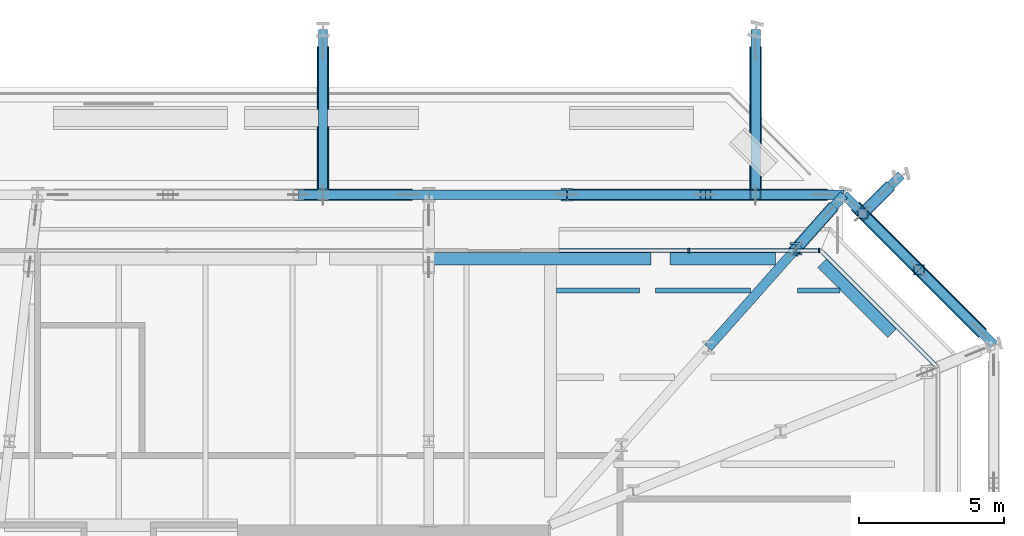
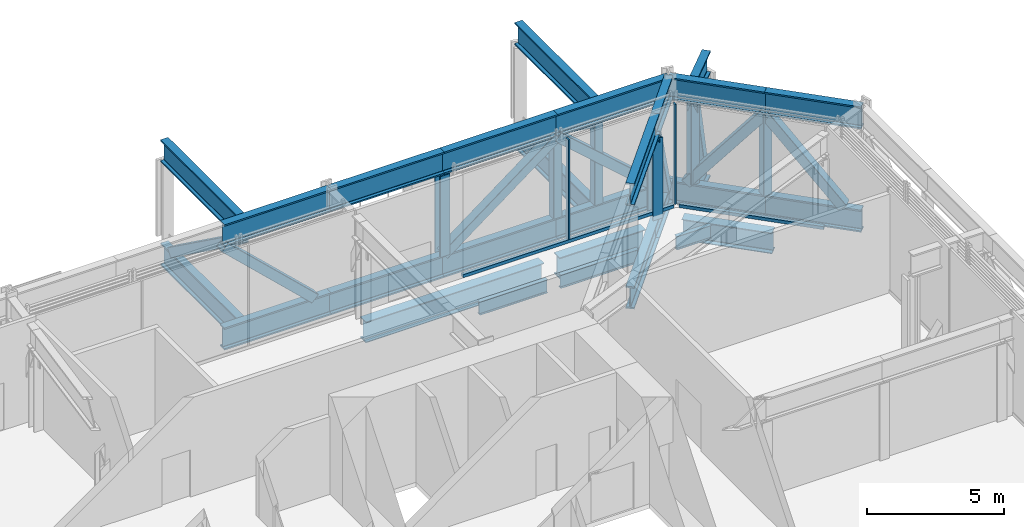
# One storey, part 15 of 29: 28 beams, 19 members, 2 elements without a shape of their own.
"""IFC4 building model written with IfcOpenShell, lengths in metres."""

from ifc_helpers import new_model, si_unit, direction, frame, origin, origin_2d, place, context, subcontext, project, spatial, rectangle, hollow_rectangle, i_section, extrude, material, layer, layer_set, material_profile, profile_set, type_object, element, aggregate, save


model = new_model("IFC4")

# Units and contexts
model_context = context("Model", 3, precision=1e-05, world=origin(), true_north=direction((0.0, 1.0)))
body_context = subcontext(model_context, "Body", "Model", "MODEL_VIEW")
ifc_project = project(units=[si_unit("LENGTHUNIT", "METRE"), si_unit("AREAUNIT", "SQUARE_METRE"), si_unit("VOLUMEUNIT", "CUBIC_METRE"), si_unit("PLANEANGLEUNIT", "RADIAN"), si_unit("MASSUNIT", "GRAM", prefix="KILO")], contexts=[model_context])

# Site, building, storey
site_placement = place(None, origin())
site = spatial("IfcSite", under=ifc_project, at=site_placement, CompositionType="ELEMENT")
building_placement = place(site_placement, origin())
building = spatial("IfcBuilding", under=site, at=building_placement, Name="Millrace Tower", CompositionType="ELEMENT")
storey_placement = place(building_placement, frame((0.0, 0.0, 68.60009765625)))
storey = spatial("IfcBuildingStorey", under=building, at=storey_placement, Name="L15", CompositionType="ELEMENT", Elevation=68.60009765625)

# Curtain wall, members
ifc_material_1 = material(Name="Aluminium and glass", Category="aluminium")
ifc_layer = layer(ifc_material_1, 0.14990234375)
ifc_layer_set = layer_set([ifc_layer], Name="Aluminium and glass")
curtain_wall_type = type_object("IfcCurtainWallType", Name="CW-5 truss and plant storey louvred infill", PredefinedType="NOTDEFINED", material=ifc_layer_set)
placement = place(storey_placement, origin())
curtain_wall_1 = element("IfcCurtainWall", 1, at=placement, inside=storey, type_object=curtain_wall_type, Name="Curtain wall B-F06 L15", PredefinedType="NOTDEFINED")
ifc_material_2 = material(Name="Aluminium", Category="aluminium")
ifc_material_profile_1 = material_profile(ifc_material_2, rectangle(XDim=0.06494140625, YDim=0.14990234375, at=origin_2d()))
ifc_profile_set_1 = profile_set([ifc_material_profile_1], Name="Aluminium")
member_type_1 = type_object("IfcMemberType", Name="CW-5 truss and plant storey louvred infill mullion", PredefinedType="MULLION", material=ifc_profile_set_1)
member_1_placement = place(storey_placement, frame((24.16748046875, 19.375, 0.139892578125), z_axis=(0.0, 0.0, 1.0), x_axis=(-1.0, 0.0, 0.0)))
member_1 = element("IfcMember", 2, at=member_1_placement, type_object=member_type_1, Name="CW5 mullion B-F06.1", PredefinedType="MULLION", context=body_context, shape_type="SweptSolid", body=[
    extrude(rectangle(XDim=0.06494140625, YDim=0.14990234375, at=origin_2d()), origin(), (0.0, 0.0, 1.0), 4.4599609375),
])
member_2_placement = place(storey_placement, frame((19.66748046875, 19.375, 0.139892578125), z_axis=(0.0, 0.0, 1.0), x_axis=(-1.0, 0.0, 0.0)))
member_2 = element("IfcMember", 3, at=member_2_placement, type_object=member_type_1, Name="CW5 mullion B-F06.2", PredefinedType="MULLION", context=body_context, shape_type="SweptSolid", body=[
    extrude(rectangle(XDim=0.06494140625, YDim=0.14990234375, at=origin_2d()), origin(), (0.0, 0.0, 1.0), 4.4599609375),
])

# Curtain wall, member
curtain_wall_2 = element("IfcCurtainWall", 4, at=placement, inside=storey, type_object=curtain_wall_type, Name="Curtain wall B-F05 L15", PredefinedType="NOTDEFINED")
ifc_material_3 = material(Name="Aluminium", Category="aluminium")
ifc_material_profile_2 = material_profile(ifc_material_3, rectangle(XDim=0.14990234375, YDim=0.139892578125, at=origin_2d()))
ifc_profile_set_2 = profile_set([ifc_material_profile_2], Name="Aluminium")
member_type_2 = type_object("IfcMemberType", Name="CW-5 truss and plant storey louvred infill transom", PredefinedType="USERDEFINED", material=ifc_profile_set_2)
member_3_placement = place(storey_placement, frame((28.182373046875, 15.423828125, 0.06982421875), z_axis=(-0.707129151258, 0.707084410407, 0.0), x_axis=(-0.707084410407, -0.707129151258, 0.0)))
member_3 = element("IfcMember", 5, at=member_3_placement, type_object=member_type_2, Name="CW5 transom B-F05.1", ObjectType="TRANSOM", PredefinedType="USERDEFINED", context=body_context, shape_type="SweptSolid", body=[
    extrude(rectangle(XDim=0.14990234375, YDim=0.139892578125, at=origin_2d()), origin(), (0.0, 0.0, 1.0), 5.456787109375),
])
aggregate(curtain_wall_2, [member_3])

# Member
member_4_placement = place(storey_placement, frame((24.10009765625, 19.375, 0.06982421875), z_axis=(-1.0, 0.0, 0.0), x_axis=(0.0, -1.0, 0.0)))
member_4 = element("IfcMember", 6, at=member_4_placement, type_object=member_type_2, Name="CW5 transom B-F06.1", ObjectType="TRANSOM", PredefinedType="USERDEFINED", context=body_context, shape_type="SweptSolid", body=[
    extrude(rectangle(XDim=0.14990234375, YDim=0.139892578125, at=origin_2d()), origin(), (0.0, 0.0, 1.0), 8.900146484375),
])

aggregate(curtain_wall_1, [member_1, member_2, member_4])

# Beams
ifc_material_4 = material(Name="Steel ASTM A992 Grade 50", Category="steel")
ifc_material_profile_3 = material_profile(ifc_material_4, i_section(OverallWidth=0.177978515625, OverallDepth=0.599365234375, WebThickness=0.010009765625, FlangeThickness=0.012939453125, FilletRadius=0.012939453125, at=origin_2d()))
ifc_profile_set_3 = profile_set([ifc_material_profile_3], Name="Steel ASTM A992 Grade 50")
beam_type_1 = type_object("IfcBeamType", Name="Floor beam W24x55", PredefinedType="JOIST", material=ifc_profile_set_3)
beam_1_placement = place(storey_placement, frame((15.11083984375, 18.0, -0.499755859375), z_axis=(1.0, 0.0, 0.0), x_axis=(0.0, 1.0, 0.0)))
element("IfcBeam", 7, at=beam_1_placement, inside=storey, type_object=beam_type_1, Name="BM-B-L15-S1-S039-a-a", PredefinedType="JOIST", context=body_context, shape_type="SweptSolid", body=[
    extrude(i_section(OverallWidth=0.177978515625, OverallDepth=0.599365234375, WebThickness=0.010009765625, FlangeThickness=0.012939453125, FilletRadius=0.012939453125, at=origin_2d()), origin(), (0.0, 0.0, 1.0), 2.865234375),
])
beam_2_placement = place(storey_placement, frame((18.52978515625, 18.0, -0.499755859375), z_axis=(1.0, 0.0, 0.0), x_axis=(0.0, 1.0, 0.0)))
element("IfcBeam", 8, at=beam_2_placement, inside=storey, type_object=beam_type_1, Name="BM-B-L15-S1-S039-a-b", PredefinedType="JOIST", context=body_context, shape_type="SweptSolid", body=[
    extrude(i_section(OverallWidth=0.177978515625, OverallDepth=0.599365234375, WebThickness=0.010009765625, FlangeThickness=0.012939453125, FilletRadius=0.012939453125, at=origin_2d()), origin(), (0.0, 0.0, 1.0), 3.267822265625),
])
beam_3_placement = place(storey_placement, frame((23.417724609375, 18.0, -0.499755859375), z_axis=(1.0, 0.0, 0.0), x_axis=(0.0, 1.0, 0.0)))
element("IfcBeam", 9, at=beam_3_placement, inside=storey, type_object=beam_type_1, Name="BM-B-L15-S1-S039-b", PredefinedType="JOIST", context=body_context, shape_type="SweptSolid", body=[
    extrude(i_section(OverallWidth=0.177978515625, OverallDepth=0.599365234375, WebThickness=0.010009765625, FlangeThickness=0.012939453125, FilletRadius=0.012939453125, at=origin_2d()), origin(), (0.0, 0.0, 1.0), 1.465576171875),
])
ifc_material_5 = material(Name="Steel ASTM A992 Grade 50", Category="steel")
ifc_material_profile_4 = material_profile(ifc_material_5, i_section(OverallWidth=0.419189453125, OverallDepth=0.927001953125, WebThickness=0.019287109375, FlangeThickness=0.031982421875, FilletRadius=0.024169921875, at=origin_2d()))
ifc_profile_set_4 = profile_set([ifc_material_profile_4], Name="Steel ASTM A992 Grade 50")
beam_type_2 = type_object("IfcBeamType", Name="Ring beam short span W36x231", PredefinedType="SPANDREL", material=ifc_profile_set_4)
beam_4_placement = place(storey_placement, frame((24.264404296875, 18.939208984375, -0.66357421875), z_axis=(0.707106781187, -0.707106781187, 0.0), x_axis=(0.707106781187, 0.707106781187, 0.0)))
element("IfcBeam", 10, at=beam_4_placement, inside=storey, type_object=beam_type_2, Name="RNG-B-L15-S1-08", PredefinedType="SPANDREL", context=body_context, shape_type="SweptSolid", body=[
    extrude(i_section(OverallWidth=0.419189453125, OverallDepth=0.927001953125, WebThickness=0.019287109375, FlangeThickness=0.031982421875, FilletRadius=0.024169921875, at=origin_2d()), origin(), (0.0, 0.0, 1.0), 3.41943359375),
])
beam_5_placement = place(storey_placement, frame((10.861328125, 19.09033203125, -0.66357421875), z_axis=(1.0, 0.0, 0.0), x_axis=(0.0, 1.0, 0.0)))
element("IfcBeam", 11, at=beam_5_placement, inside=storey, type_object=beam_type_2, Name="RNG-B-L15-S1-07-a", PredefinedType="SPANDREL", context=body_context, shape_type="SweptSolid", body=[
    extrude(i_section(OverallWidth=0.419189453125, OverallDepth=0.927001953125, WebThickness=0.019287109375, FlangeThickness=0.031982421875, FilletRadius=0.024169921875, at=origin_2d()), origin(), (0.0, 0.0, 1.0), 7.515869140625),
])
beam_6_placement = place(storey_placement, frame((19.031494140625, 19.09033203125, -0.66357421875), z_axis=(1.0, 0.0, 0.0), x_axis=(0.0, 1.0, 0.0)))
element("IfcBeam", 12, at=beam_6_placement, inside=storey, type_object=beam_type_2, Name="RNG-B-L15-S1-07-b", PredefinedType="SPANDREL", context=body_context, shape_type="SweptSolid", body=[
    extrude(i_section(OverallWidth=0.419189453125, OverallDepth=0.927001953125, WebThickness=0.019287109375, FlangeThickness=0.031982421875, FilletRadius=0.024169921875, at=origin_2d()), origin(), (0.0, 0.0, 1.0), 3.6298828125),
])

# Members
ifc_material_6 = material(Name="Steel ASTM A992 Grade 50", Category="steel")
ifc_material_profile_5 = material_profile(ifc_material_6, i_section(OverallWidth=0.411376953125, OverallDepth=0.434326171875, WebThickness=0.035888671875, FlangeThickness=0.057373046875, FilletRadius=0.01513671875, at=origin_2d()))
ifc_profile_set_5 = profile_set([ifc_material_profile_5], Name="Steel ASTM A992 Grade 50")
member_type_3 = type_object("IfcMemberType", Name="Transfer truss Vierendeel moment post W14x311", PredefinedType="POST", material=ifc_profile_set_5)
for number, where, z_axis, x_axis, name in (
    (13, (15.47607421875, 21.300048828125, -0.2001953125), (0.0, 0.0, 1.0), (1.0, 0.0, 0.0), "TRS-L15-R10-V02"),
    (14, (23.367919921875, 19.43115234375, -0.2001953125), (0.0, 0.0, 1.0), (1.0, 0.0, 0.0), "TRS-L15-C10-V01"),
):
    element("IfcMember", number, at=place(storey_placement, frame(where, z_axis=z_axis, x_axis=x_axis)), inside=storey, type_object=member_type_3, Name=name, PredefinedType="POST", context=body_context, shape_type="SweptSolid", body=[
        extrude(i_section(OverallWidth=0.411376953125, OverallDepth=0.434326171875, WebThickness=0.035888671875, FlangeThickness=0.057373046875, FilletRadius=0.01513671875, at=origin_2d()), origin(), (0.0, 0.0, 1.0), 3.60693359375),
    ])

# Beams
ifc_material_7 = material(Name="Steel ASTM A992 Grade 50", Category="steel")
ifc_material_profile_6 = material_profile(ifc_material_7, i_section(OverallWidth=0.322509765625, OverallDepth=0.9931640625, WebThickness=0.0361328125, FlangeThickness=0.06494140625, FilletRadius=0.01904296875, at=origin_2d()))
ifc_profile_set_6 = profile_set([ifc_material_profile_6], Name="Steel ASTM A992 Grade 50")
beam_type_3 = type_object("IfcBeamType", Name="Transfer truss chord W36x387", PredefinedType="BEAM", material=ifc_profile_set_6)
for number, where, z_axis, x_axis, name in (
    (15, (30.199951171875, 16.12841796875, -0.69677734375), (-0.707106781187, 0.707106781187, 0.0), (-0.707106781187, -0.707106781187, 0.0), "TRS-L15-R09-B01"),
    (16, (30.199951171875, 16.12841796875, 3.9033203125), (-0.707106781187, 0.707106781187, 0.0), (-0.707106781187, -0.707106781187, 0.0), "TRS-L15-R09-T01"),
):
    element("IfcBeam", number, at=place(storey_placement, frame(where, z_axis=z_axis, x_axis=x_axis)), inside=storey, type_object=beam_type_3, Name=name, PredefinedType="BEAM", context=body_context, shape_type="SweptSolid", body=[
        extrude(i_section(OverallWidth=0.322509765625, OverallDepth=0.9931640625, WebThickness=0.0361328125, FlangeThickness=0.06494140625, FilletRadius=0.01904296875, at=origin_2d()), origin(), (0.0, 0.0, 1.0), 3.65673828125),
    ])
for number, where, z_axis, x_axis, name in (
    (17, (27.6142578125, 18.714111328125, -0.69677734375), (-0.707106781187, 0.707106781187, 0.0), (-0.707106781187, -0.707106781187, 0.0), "TRS-L15-R09-B02"),
    (18, (27.6142578125, 18.714111328125, 3.9033203125), (-0.707106781187, 0.707106781187, 0.0), (-0.707106781187, -0.707106781187, 0.0), "TRS-L15-R09-T02"),
):
    element("IfcBeam", number, at=place(storey_placement, frame(where, z_axis=z_axis, x_axis=x_axis)), inside=storey, type_object=beam_type_3, Name=name, PredefinedType="BEAM", context=body_context, shape_type="SweptSolid", body=[
        extrude(i_section(OverallWidth=0.322509765625, OverallDepth=0.9931640625, WebThickness=0.0361328125, FlangeThickness=0.06494140625, FilletRadius=0.01904296875, at=origin_2d()), origin(), (0.0, 0.0, 1.0), 3.656982421875),
    ])
for number, where, z_axis, x_axis, name in (
    (19, (25.0283203125, 21.300048828125, -0.69677734375), (-1.0, 0.0, 0.0), (0.0, -1.0, 0.0), "TRS-L15-R10-B01"),
    (20, (25.0283203125, 21.300048828125, 3.9033203125), (-1.0, 0.0, 0.0), (0.0, -1.0, 0.0), "TRS-L15-R10-T01"),
    (21, (20.252197265625, 21.300048828125, -0.69677734375), (-1.0, 0.0, 0.0), (0.0, -1.0, 0.0), "TRS-L15-R10-B02"),
    (22, (20.252197265625, 21.300048828125, 3.9033203125), (-1.0, 0.0, 0.0), (0.0, -1.0, 0.0), "TRS-L15-R10-T02"),
    (23, (15.47607421875, 21.300048828125, -0.69677734375), (-1.0, 0.0, 0.0), (0.0, -1.0, 0.0), "TRS-L15-R10-B03"),
    (24, (15.47607421875, 21.300048828125, 3.9033203125), (-1.0, 0.0, 0.0), (0.0, -1.0, 0.0), "TRS-L15-R10-T03"),
):
    element("IfcBeam", number, at=place(storey_placement, frame(where, z_axis=z_axis, x_axis=x_axis)), inside=storey, type_object=beam_type_3, Name=name, PredefinedType="BEAM", context=body_context, shape_type="SweptSolid", body=[
        extrude(i_section(OverallWidth=0.322509765625, OverallDepth=0.9931640625, WebThickness=0.0361328125, FlangeThickness=0.06494140625, FilletRadius=0.01904296875, at=origin_2d()), origin(), (0.0, 0.0, 1.0), 4.776123046875),
    ])
for number, where, z_axis, x_axis, name in (
    (25, (10.699951171875, 21.300048828125, -0.69677734375), (-1.0, 0.0, 0.0), (0.0, -1.0, 0.0), "TRS-L15-R11-B01"),
    (26, (10.699951171875, 21.300048828125, 3.9033203125), (-1.0, 0.0, 0.0), (0.0, -1.0, 0.0), "TRS-L15-R11-T01"),
):
    element("IfcBeam", number, at=place(storey_placement, frame(where, z_axis=z_axis, x_axis=x_axis)), inside=storey, type_object=beam_type_3, Name=name, PredefinedType="BEAM", context=body_context, shape_type="SweptSolid", body=[
        extrude(i_section(OverallWidth=0.322509765625, OverallDepth=0.9931640625, WebThickness=0.0361328125, FlangeThickness=0.06494140625, FilletRadius=0.01904296875, at=origin_2d()), origin(), (0.0, 0.0, 1.0), 4.5),
    ])
for number, where, z_axis, x_axis, name in (
    (27, (25.0283203125, 21.300048828125, -0.69677734375), (-0.664175909281, -0.747576324886, 0.0), (0.747576324886, -0.664175909281, 0.0), "TRS-L15-C10-B01"),
    (28, (25.0283203125, 21.300048828125, 3.9033203125), (-0.664175909281, -0.747576324886, 0.0), (0.747576324886, -0.664175909281, 0.0), "TRS-L15-C10-T01"),
):
    element("IfcBeam", number, at=place(storey_placement, frame(where, z_axis=z_axis, x_axis=x_axis)), inside=storey, type_object=beam_type_3, Name=name, PredefinedType="BEAM", context=body_context, shape_type="SweptSolid", body=[
        extrude(i_section(OverallWidth=0.322509765625, OverallDepth=0.9931640625, WebThickness=0.0361328125, FlangeThickness=0.06494140625, FilletRadius=0.01904296875, at=origin_2d()), origin(), (0.0, 0.0, 1.0), 2.5),
    ])
for number, where, z_axis, x_axis, name in (
    (29, (23.367919921875, 19.43115234375, -0.69677734375), (-0.664157329342, -0.747592831614, 0.0), (0.747592831614, -0.664157329342, 0.0), "TRS-L15-C10-B02"),
    (30, (23.367919921875, 19.43115234375, 3.9033203125), (-0.664157329342, -0.747592831614, 0.0), (0.747592831614, -0.664157329342, 0.0), "TRS-L15-C10-T02"),
):
    element("IfcBeam", number, at=place(storey_placement, frame(where, z_axis=z_axis, x_axis=x_axis)), inside=storey, type_object=beam_type_3, Name=name, PredefinedType="BEAM", context=body_context, shape_type="SweptSolid", body=[
        extrude(i_section(OverallWidth=0.322509765625, OverallDepth=0.9931640625, WebThickness=0.0361328125, FlangeThickness=0.06494140625, FilletRadius=0.01904296875, at=origin_2d()), origin(), (0.0, 0.0, 1.0), 4.550048828125),
    ])
for number, where, z_axis, x_axis, name in (
    (31, (27.0, 21.978515625, -0.69677734375), (-0.707106781187, -0.707106781187, 0.0), (0.707106781187, -0.707106781187, 0.0), "TRS-L15-B-A-X09-B01"),
    (32, (27.0, 21.978515625, 3.9033203125), (-0.707106781187, -0.707106781187, 0.0), (0.707106781187, -0.707106781187, 0.0), "TRS-L15-B-A-X09-T01"),
):
    element("IfcBeam", number, at=place(storey_placement, frame(where, z_axis=z_axis, x_axis=x_axis)), inside=storey, type_object=beam_type_3, Name=name, PredefinedType="BEAM", context=body_context, shape_type="SweptSolid", body=[
        extrude(i_section(OverallWidth=0.322509765625, OverallDepth=0.9931640625, WebThickness=0.0361328125, FlangeThickness=0.06494140625, FilletRadius=0.01904296875, at=origin_2d()), origin(), (0.0, 0.0, 1.0), 1.71240234375),
    ])
for number, where, z_axis, x_axis, name in (
    (33, (21.978515625, 27.0, -0.69677734375), (0.0, -1.0, 0.0), (1.0, 0.0, 0.0), "TRS-L15-B-A-X10-B01"),
    (34, (21.978515625, 27.0, 3.9033203125), (0.0, -1.0, 0.0), (1.0, 0.0, 0.0), "TRS-L15-B-A-X10-T01"),
    (35, (7.050048828125, 27.0, -0.69677734375), (0.0, -1.0, 0.0), (1.0, 0.0, 0.0), "TRS-L15-B-A-X11-B01"),
    (36, (7.050048828125, 27.0, 3.9033203125), (0.0, -1.0, 0.0), (1.0, 0.0, 0.0), "TRS-L15-B-A-X11-T01"),
):
    element("IfcBeam", number, at=place(storey_placement, frame(where, z_axis=z_axis, x_axis=x_axis)), inside=storey, type_object=beam_type_3, Name=name, PredefinedType="BEAM", context=body_context, shape_type="SweptSolid", body=[
        extrude(i_section(OverallWidth=0.322509765625, OverallDepth=0.9931640625, WebThickness=0.0361328125, FlangeThickness=0.06494140625, FilletRadius=0.01904296875, at=origin_2d()), origin(), (0.0, 0.0, 1.0), 5.538818359375),
    ])

# Members
ifc_material_8 = material(Name="Steel ASTM A500 Grade C", Category="steel")
ifc_material_profile_7 = material_profile(ifc_material_8, hollow_rectangle(XDim=0.406494140625, YDim=0.406494140625, WallThickness=0.015869140625, InnerFilletRadius=0.008056640625, OuterFilletRadius=0.02392578125, at=origin_2d()))
ifc_profile_set_7 = profile_set([ifc_material_profile_7], Name="Steel ASTM A500 Grade C")
member_type_4 = type_object("IfcMemberType", Name="Transfer truss diagonal HSS16x16x5/8", PredefinedType="BRACE", material=ifc_profile_set_7)
for number, where, z_axis, x_axis, name in (
    (37, (29.705078125, 16.623291015625, -0.2001953125), (-0.448287717745, 0.448287717745, 0.773353893271), (-0.707106781187, -0.707106781187, 0.0), "TRS-L15-R09-D01"),
    (38, (25.5234375, 20.804931640625, -0.2001953125), (0.448287717745, -0.448287717745, 0.773353893271), (0.707106781187, 0.707106781187, 0.0), "TRS-L15-R09-D02"),
):
    element("IfcMember", number, at=place(storey_placement, frame(where, z_axis=z_axis, x_axis=x_axis)), inside=storey, type_object=member_type_4, Name=name, PredefinedType="BRACE", context=body_context, shape_type="SweptSolid", body=[
        extrude(hollow_rectangle(XDim=0.406494140625, YDim=0.406494140625, WallThickness=0.015869140625, InnerFilletRadius=0.008056640625, OuterFilletRadius=0.02392578125, at=origin_2d()), origin(), (0.0, 0.0, 1.0), 4.6640625),
    ])
member_5_placement = place(storey_placement, frame((24.328369140625, 21.300048828125, -0.2001953125), z_axis=(-0.748897240511, 0.0, 0.662686142268), x_axis=(0.0, -1.0, 0.0)))
element("IfcMember", 39, at=member_5_placement, inside=storey, type_object=member_type_4, Name="TRS-L15-R10-D01", PredefinedType="BRACE", context=body_context, shape_type="SweptSolid", body=[
    extrude(hollow_rectangle(XDim=0.406494140625, YDim=0.406494140625, WallThickness=0.015869140625, InnerFilletRadius=0.008056640625, OuterFilletRadius=0.02392578125, at=origin_2d()), origin(), (0.0, 0.0, 1.0), 5.44287109375),
])
member_6_placement = place(storey_placement, frame((15.47607421875, 21.300048828125, -0.2001953125), z_axis=(0.798003334985, 0.0, 0.60265303231), x_axis=(0.0, 1.0, 0.0)))
element("IfcMember", 40, at=member_6_placement, inside=storey, type_object=member_type_4, Name="TRS-L15-R10-D02", PredefinedType="BRACE", context=body_context, shape_type="SweptSolid", body=[
    extrude(hollow_rectangle(XDim=0.406494140625, YDim=0.406494140625, WallThickness=0.015869140625, InnerFilletRadius=0.008056640625, OuterFilletRadius=0.02392578125, at=origin_2d()), origin(), (0.0, 0.0, 1.0), 5.985107421875),
])
member_7_placement = place(storey_placement, frame((10.0, 21.300048828125, -0.2001953125), z_axis=(-0.72529603748, 0.0, 0.688437112607), x_axis=(0.0, -1.0, 0.0)))
element("IfcMember", 41, at=member_7_placement, inside=storey, type_object=member_type_4, Name="TRS-L15-R11-D01", PredefinedType="BRACE", context=body_context, shape_type="SweptSolid", body=[
    extrude(hollow_rectangle(XDim=0.406494140625, YDim=0.406494140625, WallThickness=0.015869140625, InnerFilletRadius=0.008056640625, OuterFilletRadius=0.02392578125, at=origin_2d()), origin(), (0.0, 0.0, 1.0), 5.2392578125),
])
member_8_placement = place(storey_placement, frame((24.5634765625, 20.776611328125, -0.2001953125), z_axis=(-0.29658488375, -0.333771552858, 0.894781513686), x_axis=(0.747521563238, -0.66423754222, 0.0)))
element("IfcMember", 42, at=member_8_placement, inside=storey, type_object=member_type_4, Name="TRS-L15-C10-D01", PredefinedType="BRACE", context=body_context, shape_type="SweptSolid", body=[
    extrude(hollow_rectangle(XDim=0.406494140625, YDim=0.406494140625, WallThickness=0.015869140625, InnerFilletRadius=0.008056640625, OuterFilletRadius=0.02392578125, at=origin_2d()), origin(), (0.0, 0.0, 1.0), 4.031005859375),
])
member_9_placement = place(storey_placement, frame((26.505126953125, 21.4833984375, -0.2001953125), z_axis=(-0.21883577014, -0.21883577014, 0.95090578472), x_axis=(0.707106781187, -0.707106781187, 0.0)))
element("IfcMember", 43, at=member_9_placement, inside=storey, type_object=member_type_4, Name="TRS-L15-B-A-X09-D01", PredefinedType="BRACE", context=body_context, shape_type="SweptSolid", body=[
    extrude(hollow_rectangle(XDim=0.406494140625, YDim=0.406494140625, WallThickness=0.015869140625, InnerFilletRadius=0.008056640625, OuterFilletRadius=0.02392578125, at=origin_2d()), origin(), (0.0, 0.0, 1.0), 3.793212890625),
])
for number, where, z_axis, x_axis, name in (
    (44, (21.978515625, 26.300048828125, -0.2001953125), (0.0, -0.811000722678, 0.585045150237), (1.0, 0.0, 0.0), "TRS-L15-B-A-X10-D01"),
    (45, (7.050048828125, 26.300048828125, -0.2001953125), (0.0, -0.811000722678, 0.585045150237), (1.0, 0.0, 0.0), "TRS-L15-B-A-X11-D01"),
):
    element("IfcMember", number, at=place(storey_placement, frame(where, z_axis=z_axis, x_axis=x_axis)), inside=storey, type_object=member_type_4, Name=name, PredefinedType="BRACE", context=body_context, shape_type="SweptSolid", body=[
        extrude(hollow_rectangle(XDim=0.406494140625, YDim=0.406494140625, WallThickness=0.015869140625, InnerFilletRadius=0.008056640625, OuterFilletRadius=0.02392578125, at=origin_2d()), origin(), (0.0, 0.0, 1.0), 6.165283203125),
    ])
ifc_material_9 = material(Name="Steel ASTM A500 Grade C", Category="steel")
ifc_material_profile_8 = material_profile(ifc_material_9, hollow_rectangle(XDim=0.355712890625, YDim=0.355712890625, WallThickness=0.015869140625, InnerFilletRadius=0.008056640625, OuterFilletRadius=0.02392578125, at=origin_2d()))
ifc_profile_set_8 = profile_set([ifc_material_profile_8], Name="Steel ASTM A500 Grade C")
member_type_5 = type_object("IfcMemberType", Name="Transfer truss post HSS14x14x5/8", PredefinedType="POST", material=ifc_profile_set_8)
for number, where, z_axis, x_axis, name in (
    (46, (27.6142578125, 18.714111328125, -0.2001953125), (0.0, 0.0, 1.0), (1.0, 0.0, 0.0), "TRS-L15-R09-V01"),
    (47, (20.252197265625, 21.300048828125, -0.2001953125), (0.0, 0.0, 1.0), (1.0, 0.0, 0.0), "TRS-L15-R10-V01"),
    (48, (25.675048828125, 20.6533203125, -0.2001953125), (0.0, 0.0, 1.0), (1.0, 0.0, 0.0), "TRS-L15-B-A-X09-V01"),
    (49, (21.978515625, 21.300048828125, -0.2001953125), (0.0, 0.0, 1.0), (1.0, 0.0, 0.0), "TRS-L15-B-A-X10-V01"),
):
    element("IfcMember", number, at=place(storey_placement, frame(where, z_axis=z_axis, x_axis=x_axis)), inside=storey, type_object=member_type_5, Name=name, PredefinedType="POST", context=body_context, shape_type="SweptSolid", body=[
        extrude(hollow_rectangle(XDim=0.355712890625, YDim=0.355712890625, WallThickness=0.015869140625, InnerFilletRadius=0.008056640625, OuterFilletRadius=0.02392578125, at=origin_2d()), origin(), (0.0, 0.0, 1.0), 3.60693359375),
    ])

save(model, "model.ifc")
